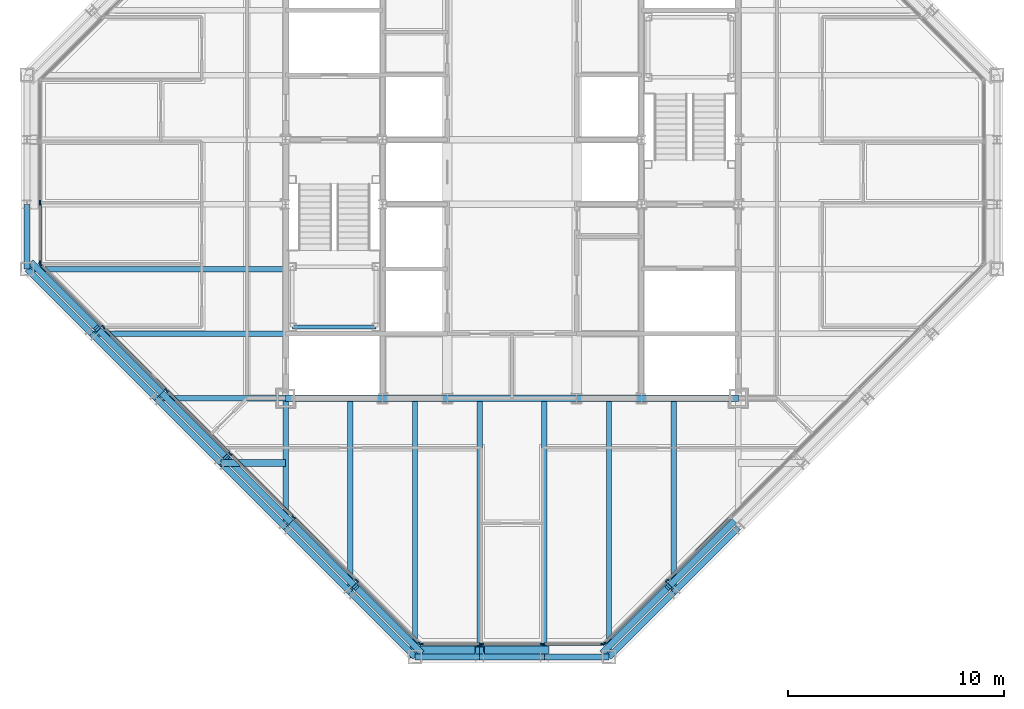
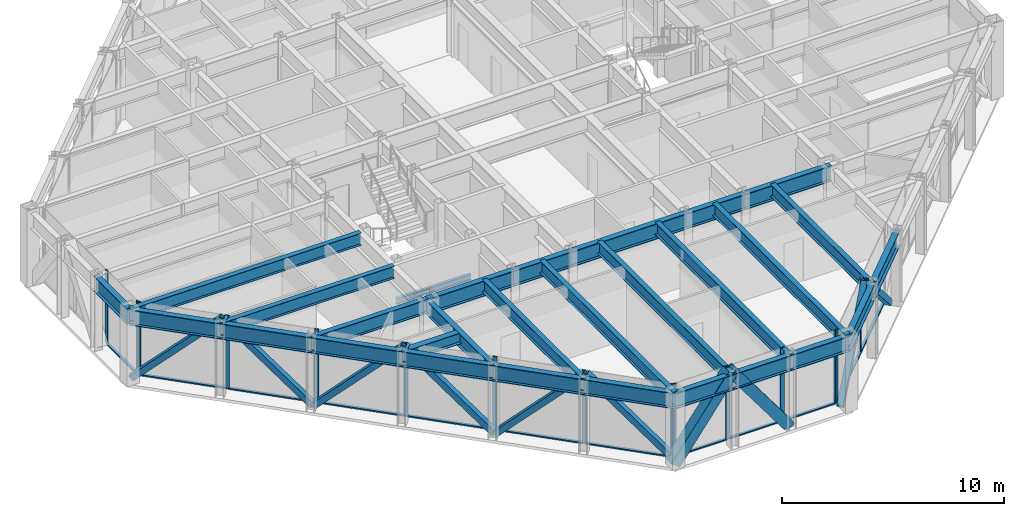
# One storey, part 5 of 15: 37 members, 29 beams, 4 elements without a shape of their own.
"""IFC4 building model written with IfcOpenShell, lengths in metres."""

import ifcopenshell
import ifcopenshell.guid

model = None  # the IFC model being written
_history = None  # IfcOwnerHistory: only IFC2X3 demands one
_inside = {}  # id of a spatial element -> (the spatial element, [elements in it])
_under = {}  # id of a project, library or spatial element -> (it, [spatial elements below it])
_declared = {}  # id of a project -> (the project, [libraries it declares])
_typed = {}  # id of a type object -> (the type object, [elements of that type])
_made_of = {}  # id of a material, layer set ... -> (it, [elements and type objects made of it])


def new_model(schema):
    """Start an empty IFC model of exactly this schema.

    Asked for "IFC4X3", IfcOpenShell would pick the latest addendum, in which some entities
    have other attributes; the version numbers below select the first issue.
    IFC2X3 requires an IfcOwnerHistory on every rooted entity: one is made here for all.
    """
    global model, _history
    if schema == "IFC4X3":
        model = ifcopenshell.file(schema_version=(4, 3, 0, 0))
    else:
        model = ifcopenshell.file(schema=schema)
    _inside.clear()
    _under.clear()
    _declared.clear()
    _typed.clear()
    _made_of.clear()
    _history = None
    if model.schema == "IFC2X3":
        org = make("IfcOrganization", Name="unknown")
        user = make(
            "IfcPersonAndOrganization",
            ThePerson=make("IfcPerson", FamilyName="unknown"),
            TheOrganization=org,
        )
        app = make(
            "IfcApplication",
            ApplicationDeveloper=org,
            Version="unknown",
            ApplicationFullName="unknown",
            ApplicationIdentifier="unknown",
        )
        _history = make(
            "IfcOwnerHistory",
            OwningUser=user,
            OwningApplication=app,
            ChangeAction="ADDED",
            CreationDate=0,
        )
    return model


def make(cls, **values):
    """One entity of the class cls with the attributes given. An attribute that is None is left unset."""
    return model.create_entity(
        cls, **{name: value for name, value in values.items() if value is not None}
    )


def rooted(cls, **values):
    """An entity with a GlobalId (a new one), such as an element, a storey or a relation."""
    return make(cls, GlobalId=ifcopenshell.guid.new(), OwnerHistory=_history, **values)


def si_unit(unit_type, name, prefix=None):
    """IfcSIUnit, for example si_unit("LENGTHUNIT", "METRE", prefix="MILLI")."""
    return make("IfcSIUnit", UnitType=unit_type, Prefix=prefix, Name=name)


def assignment(units):
    """IfcUnitAssignment: the units of a project."""
    return None if units is None else make("IfcUnitAssignment", Units=units)


def point(xyz):
    """IfcCartesianPoint."""
    return None if xyz is None else make("IfcCartesianPoint", Coordinates=xyz)


def direction(xyz):
    """IfcDirection."""
    return None if xyz is None else make("IfcDirection", DirectionRatios=xyz)


def frame(location, z_axis=None, x_axis=None):
    """IfcAxis2Placement3D, a coordinate frame: its origin and axes. An axis left out is left unset."""
    return make(
        "IfcAxis2Placement3D",
        Location=point(location),
        Axis=direction(z_axis),
        RefDirection=direction(x_axis),
    )


def frame_2d(location, x_axis=None):
    """IfcAxis2Placement2D, a coordinate frame in the plane: its origin and x axis."""
    return make(
        "IfcAxis2Placement2D", Location=point(location), RefDirection=direction(x_axis)
    )


def origin():
    """The frame at (0, 0, 0) with its axes left unset."""
    return frame((0.0, 0.0, 0.0))


def origin_2d():
    """The frame at (0, 0) in the plane with its x axis left unset."""
    return frame_2d((0.0, 0.0))


def place(relative_to, where):
    """IfcLocalPlacement: puts the frame where relative to a parent placement (None: the world)."""
    return make(
        "IfcLocalPlacement", PlacementRelTo=relative_to, RelativePlacement=where
    )


def context(
    kind, dimensions, precision=None, world=None, true_north=None, identifier=None
):
    """IfcGeometricRepresentationContext, for example the 3D "Model" context."""
    return make(
        "IfcGeometricRepresentationContext",
        ContextIdentifier=identifier,
        ContextType=kind,
        CoordinateSpaceDimension=dimensions,
        Precision=precision,
        WorldCoordinateSystem=world,
        TrueNorth=true_north,
    )


def subcontext(parent, identifier, kind, view, scale=None):
    """IfcGeometricRepresentationSubContext, for example "Body" below "Model"."""
    return make(
        "IfcGeometricRepresentationSubContext",
        ContextIdentifier=identifier,
        ContextType=kind,
        ParentContext=parent,
        TargetScale=scale,
        TargetView=view,
    )


def project(units=None, contexts=None):
    """IfcProject with its units and contexts."""
    return rooted(
        "IfcProject",
        Name="project",
        RepresentationContexts=contexts,
        UnitsInContext=assignment(units),
    )


def spatial(cls, under=None, at=None, **own):
    """A site, building, storey or space (cls), placed at a placement, below another one or the project."""
    s = rooted(cls, ObjectPlacement=at, **own)
    if under is not None:
        _under.setdefault(under.id(), (under, []))[1].append(s)
    return s


def profile(cls, at=None, kind="AREA", **sizes):
    """A parametric profile (cls). Its sizes go by their IFC names, for example OverallWidth=200.0."""
    return make(cls, ProfileType=kind, Position=at, **sizes)


def rectangle(**sizes):
    """IfcRectangleProfileDef."""
    return profile("IfcRectangleProfileDef", **sizes)


def hollow_rectangle(**sizes):
    """IfcRectangleHollowProfileDef."""
    return profile("IfcRectangleHollowProfileDef", **sizes)


def i_section(**sizes):
    """IfcIShapeProfileDef."""
    return profile("IfcIShapeProfileDef", **sizes)


def extrude(swept, where, along, depth):
    """IfcExtrudedAreaSolid: the profile swept, set in the frame where, extruded along a direction by depth."""
    return make(
        "IfcExtrudedAreaSolid",
        SweptArea=swept,
        Position=where,
        ExtrudedDirection=direction(along),
        Depth=depth,
    )


def shape(context_of_items, identifier, shape_type, items):
    """IfcShapeRepresentation: the items that make up one representation, for example the "Body"."""
    return make(
        "IfcShapeRepresentation",
        ContextOfItems=context_of_items,
        RepresentationIdentifier=identifier,
        RepresentationType=shape_type,
        Items=items,
    )


def material(Name=None, Category=None):
    """IfcMaterial."""
    return make("IfcMaterial", Name=Name, Category=Category)


def layer(
    of_material, thickness, ventilated=None, Name=None, Category=None, Priority=None
):
    """IfcMaterialLayer: one layer of a wall or slab, of a material (None: an air gap)."""
    return make(
        "IfcMaterialLayer",
        Material=of_material,
        LayerThickness=thickness,
        IsVentilated=ventilated,
        Name=Name,
        Category=Category,
        Priority=Priority,
    )


def layer_set(layers, Name=None):
    """IfcMaterialLayerSet."""
    return make("IfcMaterialLayerSet", MaterialLayers=layers, LayerSetName=Name)


def material_profile(
    of_material, cross_section, Name=None, Category=None, Priority=None
):
    """IfcMaterialProfile: a cross section and its material."""
    return make(
        "IfcMaterialProfile",
        Name=Name,
        Material=of_material,
        Profile=cross_section,
        Priority=Priority,
        Category=Category,
    )


def profile_set(profiles, Name=None, composite=None):
    """IfcMaterialProfileSet."""
    return make(
        "IfcMaterialProfileSet",
        Name=Name,
        MaterialProfiles=profiles,
        CompositeProfile=composite,
    )


def made_of(thing, what):
    """Note that an element or type object is made of a material, layer set ...; save() writes the relation."""
    if what is not None:
        _made_of.setdefault(what.id(), (what, []))[1].append(thing)
    return thing


def type_object(cls, material=None, **own):
    """A type object (cls), such as IfcWallType, which elements share."""
    return made_of(rooted(cls, **own), material)


def element(
    cls,
    number,
    at=None,
    inside=None,
    cuts=None,
    type_object=None,
    material=None,
    context=None,
    identifier="Body",
    shape_type=None,
    held_by="IfcProductDefinitionShape",
    body=None,
    shapes=None,
    **own,
):
    """One element of the class cls, such as IfcWall. Its Tag is "e" and its number.

    at: its placement. inside: the storey or other place that contains it. cuts: it is an
    opening in that element (IfcRelVoidsElement). A single representation is given by context,
    identifier, shape_type and body (its items); several are given by shapes. held_by: the class
    of the entity that holds the representations. save() writes the other relations.
    """
    e = rooted(cls, Tag="e%d" % number, ObjectPlacement=at, **own)
    if body is not None:
        shapes = [shape(context, identifier, shape_type, body)]
    if shapes is not None:
        e.Representation = make(held_by, Representations=shapes)
    if inside is not None:
        _inside.setdefault(inside.id(), (inside, []))[1].append(e)
    if cuts is not None:
        rooted(
            "IfcRelVoidsElement", RelatingBuildingElement=cuts, RelatedOpeningElement=e
        )
    if type_object is not None:
        _typed.setdefault(type_object.id(), (type_object, []))[1].append(e)
    return made_of(e, material)


def aggregate(whole, parts):
    """IfcRelAggregates: a whole, such as a stair, and the parts it consists of."""
    return rooted("IfcRelAggregates", RelatingObject=whole, RelatedObjects=parts)


def save(model, path):
    """Write the relations noted so far, then the file.

    IfcRelAggregates (storeys below a building ...), IfcRelContainedInSpatialStructure (elements
    in a storey), IfcRelDefinesByType, IfcRelAssociatesMaterial and IfcRelDeclares: one each for
    every whole, place, type object, material and project.
    """
    for whole, parts in _under.values():
        aggregate(whole, parts)
    for where, things in _inside.values():
        rooted(
            "IfcRelContainedInSpatialStructure",
            RelatedElements=things,
            RelatingStructure=where,
        )
    for kind, things in _typed.values():
        rooted("IfcRelDefinesByType", RelatedObjects=things, RelatingType=kind)
    for what, things in _made_of.values():
        rooted("IfcRelAssociatesMaterial", RelatedObjects=things, RelatingMaterial=what)
    for by, libraries in _declared.values():
        rooted("IfcRelDeclares", RelatingContext=by, RelatedDefinitions=libraries)
    model.write(path)


model = new_model("IFC4")

# Units and contexts
model_context = context("Model", 3, precision=1e-05, world=origin(), true_north=direction((0.0, 1.0)))
body_context = subcontext(model_context, "Body", "Model", "MODEL_VIEW")
ifc_project = project(units=[si_unit("LENGTHUNIT", "METRE"), si_unit("AREAUNIT", "SQUARE_METRE"), si_unit("VOLUMEUNIT", "CUBIC_METRE"), si_unit("PLANEANGLEUNIT", "RADIAN"), si_unit("MASSUNIT", "GRAM", prefix="KILO")], contexts=[model_context])

# Site, building, storey
site_placement = place(None, origin())
site = spatial("IfcSite", under=ifc_project, at=site_placement, CompositionType="ELEMENT")
building_placement = place(site_placement, origin())
building = spatial("IfcBuilding", under=site, at=building_placement, Name="Chuquiago Exchange Tower", CompositionType="ELEMENT")
storey_placement = place(building_placement, frame((0.0, 0.0, 283.199951171875)))
storey = spatial("IfcBuildingStorey", under=building, at=storey_placement, Name="L63", CompositionType="ELEMENT", Elevation=283.199951171875)

# Beams
ifc_material_1 = material(Name="Steel ASTM A992", Category="steel")
ifc_material_profile_1 = material_profile(ifc_material_1, i_section(OverallWidth=0.25390625, OverallDepth=0.683349609375, WebThickness=0.012451171875, FlangeThickness=0.018798828125, at=origin_2d()), Name="W27X94")
ifc_profile_set_1 = profile_set([ifc_material_profile_1], Name="Steel ASTM A992")
beam_type_1 = type_object("IfcBeamType", Name="B1 W27X94", PredefinedType="BEAM", material=ifc_profile_set_1)
beam_1_placement = place(storey_placement, frame((15.0, 12.0, 3.698486328125), z_axis=(0.0, -1.0, 0.0), x_axis=(1.0, 0.0, 0.0)))
element("IfcBeam", 1, at=beam_1_placement, inside=storey, type_object=beam_type_1, Name="FB-L64-infill-15_12-15_3-0", PredefinedType="BEAM", context=body_context, shape_type="SweptSolid", body=[
    extrude(i_section(OverallWidth=0.25390625, OverallDepth=0.683349609375, WebThickness=0.012451171875, FlangeThickness=0.018798828125, at=origin_2d()), origin(), (0.0, 0.0, 1.0), 9.0),
])
for number, where, z_axis, x_axis, name in (
    (2, (18.0, 12.0, 3.698486328125), (0.0, -1.0, 0.0), (1.0, 0.0, 0.0), "FB-L64-infill-18_12-18_-0-0"),
    (3, (21.0, 12.0, 3.698486328125), (0.0, -1.0, 0.0), (1.0, 0.0, 0.0), "FB-L64-infill-21_12-21_-0-0"),
    (4, (24.0, 12.0, 3.698486328125), (0.0, -1.0, 0.0), (1.0, 0.0, 0.0), "FB-L64-infill-24_12-24_-0-0"),
    (5, (27.0, 12.0, 3.698486328125), (0.0, -1.0, 0.0), (1.0, 0.0, 0.0), "FB-L64-infill-27_12-27_-0-0"),
):
    element("IfcBeam", number, at=place(storey_placement, frame(where, z_axis=z_axis, x_axis=x_axis)), inside=storey, type_object=beam_type_1, Name=name, PredefinedType="BEAM", context=body_context, shape_type="SweptSolid", body=[
        extrude(i_section(OverallWidth=0.25390625, OverallDepth=0.683349609375, WebThickness=0.012451171875, FlangeThickness=0.018798828125, at=origin_2d()), origin(), (0.0, 0.0, 1.0), 12.0),
    ])
for number, where, z_axis, x_axis, name in (
    (6, (30.0, 12.0, 3.698486328125), (0.0, -1.0, 0.0), (1.0, 0.0, 0.0), "FB-L64-infill-30_12-30_3-0"),
    (7, (12.0, 15.0, 3.698486328125), (-1.0, 0.0, 0.0), (0.0, -1.0, 0.0), "FB-L64-infill-12_15-3_15-0"),
):
    element("IfcBeam", number, at=place(storey_placement, frame(where, z_axis=z_axis, x_axis=x_axis)), inside=storey, type_object=beam_type_1, Name=name, PredefinedType="BEAM", context=body_context, shape_type="SweptSolid", body=[
        extrude(i_section(OverallWidth=0.25390625, OverallDepth=0.683349609375, WebThickness=0.012451171875, FlangeThickness=0.018798828125, at=origin_2d()), origin(), (0.0, 0.0, 1.0), 9.0),
    ])
beam_2_placement = place(storey_placement, frame((12.0, 18.0, 3.698486328125), z_axis=(-1.0, 0.0, 0.0), x_axis=(0.0, -1.0, 0.0)))
element("IfcBeam", 8, at=beam_2_placement, inside=storey, type_object=beam_type_1, Name="FB-L64-infill-12_18--0_18-0", PredefinedType="BEAM", context=body_context, shape_type="SweptSolid", body=[
    extrude(i_section(OverallWidth=0.25390625, OverallDepth=0.683349609375, WebThickness=0.012451171875, FlangeThickness=0.018798828125, at=origin_2d()), origin(), (0.0, 0.0, 1.0), 12.0),
])
ifc_material_2 = material(Name="Steel ASTM A992", Category="steel")
ifc_material_profile_2 = material_profile(ifc_material_2, i_section(OverallWidth=0.3251953125, OverallDepth=0.612060546875, WebThickness=0.0126953125, FlangeThickness=0.01904296875, at=origin_2d()), Name="W24X104")
ifc_profile_set_2 = profile_set([ifc_material_profile_2], Name="Steel ASTM A992")
beam_type_2 = type_object("IfcBeamType", Name="B2 W24X104", PredefinedType="BEAM", material=ifc_profile_set_2)
beam_3_placement = place(storey_placement, frame((12.0, 9.0, 3.73388671875), z_axis=(-1.0, 0.0, 0.0), x_axis=(0.0, -1.0, 0.0)))
element("IfcBeam", 9, at=beam_3_placement, inside=storey, type_object=beam_type_2, Name="FB-L64-corner-12_9-9_9-0", PredefinedType="BEAM", context=body_context, shape_type="SweptSolid", body=[
    extrude(i_section(OverallWidth=0.3251953125, OverallDepth=0.612060546875, WebThickness=0.0126953125, FlangeThickness=0.01904296875, at=origin_2d()), origin(), (0.0, 0.0, 1.0), 3.0),
])
ifc_material_3 = material(Name="Steel ASTM A992", Category="steel")
ifc_material_profile_3 = material_profile(ifc_material_3, i_section(OverallWidth=0.2919921875, OverallDepth=0.8583984375, WebThickness=0.01708984375, FlangeThickness=0.031005859375, at=origin_2d()), Name="W33X169")
ifc_profile_set_3 = profile_set([ifc_material_profile_3], Name="Steel ASTM A992")
beam_type_3 = type_object("IfcBeamType", Name="B3 W33X169", PredefinedType="BEAM", material=ifc_profile_set_3)
beam_4_placement = place(storey_placement, frame((12.0, 12.0, 3.61083984375), z_axis=(1.0, 0.0, 0.0), x_axis=(0.0, 1.0, 0.0)))
element("IfcBeam", 10, at=beam_4_placement, inside=storey, type_object=beam_type_3, Name="CB-L64-12_12-16.5_12", PredefinedType="BEAM", context=body_context, shape_type="SweptSolid", body=[
    extrude(i_section(OverallWidth=0.2919921875, OverallDepth=0.8583984375, WebThickness=0.01708984375, FlangeThickness=0.031005859375, at=origin_2d()), origin(), (0.0, 0.0, 1.0), 4.5),
])
beam_5_placement = place(storey_placement, frame((16.5, 12.0, 3.61083984375), z_axis=(1.0, 0.0, 0.0), x_axis=(0.0, 1.0, 0.0)))
element("IfcBeam", 11, at=beam_5_placement, inside=storey, type_object=beam_type_3, Name="CB-L64-16.5_12-19.5_12", PredefinedType="BEAM", context=body_context, shape_type="SweptSolid", body=[
    extrude(i_section(OverallWidth=0.2919921875, OverallDepth=0.8583984375, WebThickness=0.01708984375, FlangeThickness=0.031005859375, at=origin_2d()), origin(), (0.0, 0.0, 1.0), 3.0),
])
beam_6_placement = place(storey_placement, frame((19.5, 12.0, 3.61083984375), z_axis=(1.0, 0.0, 0.0), x_axis=(0.0, 1.0, 0.0)))
element("IfcBeam", 12, at=beam_6_placement, inside=storey, type_object=beam_type_3, Name="CB-L64-19.5_12-25.5_12", PredefinedType="BEAM", context=body_context, shape_type="SweptSolid", body=[
    extrude(i_section(OverallWidth=0.2919921875, OverallDepth=0.8583984375, WebThickness=0.01708984375, FlangeThickness=0.031005859375, at=origin_2d()), origin(), (0.0, 0.0, 1.0), 6.0),
])
beam_7_placement = place(storey_placement, frame((25.5, 12.0, 3.61083984375), z_axis=(1.0, 0.0, 0.0), x_axis=(0.0, 1.0, 0.0)))
element("IfcBeam", 13, at=beam_7_placement, inside=storey, type_object=beam_type_3, Name="CB-L64-25.5_12-28.5_12", PredefinedType="BEAM", context=body_context, shape_type="SweptSolid", body=[
    extrude(i_section(OverallWidth=0.2919921875, OverallDepth=0.8583984375, WebThickness=0.01708984375, FlangeThickness=0.031005859375, at=origin_2d()), origin(), (0.0, 0.0, 1.0), 3.0),
])
beam_8_placement = place(storey_placement, frame((28.5, 12.0, 3.61083984375), z_axis=(1.0, 0.0, 0.0), x_axis=(0.0, 1.0, 0.0)))
element("IfcBeam", 14, at=beam_8_placement, inside=storey, type_object=beam_type_3, Name="CB-L64-28.5_12-33_12", PredefinedType="BEAM", context=body_context, shape_type="SweptSolid", body=[
    extrude(i_section(OverallWidth=0.2919921875, OverallDepth=0.8583984375, WebThickness=0.01708984375, FlangeThickness=0.031005859375, at=origin_2d()), origin(), (0.0, 0.0, 1.0), 4.5),
])

# Curtain wall, members
ifc_material_4 = material(Name="Aluminium curtain wall system", Category="aluminium")
ifc_layer_1 = layer(ifc_material_4, 0.22509765625)
ifc_layer_set_1 = layer_set([ifc_layer_1], Name="CW2 office curtain wall")
curtain_wall_type_1 = type_object("IfcCurtainWallType", Name="CW2 office curtain wall", PredefinedType="NOTDEFINED", material=ifc_layer_set_1)
curtain_wall_1_placement = place(storey_placement, origin())
curtain_wall_1 = element("IfcCurtainWall", 15, at=curtain_wall_1_placement, inside=storey, type_object=curtain_wall_type_1, Name="CW2 curtain wall L63", PredefinedType="NOTDEFINED")
ifc_material_5 = material(Name="Aluminium mullion, pale anodised", Category="aluminium")
ifc_material_profile_4 = material_profile(ifc_material_5, rectangle(XDim=0.06494140625, YDim=0.22509765625, at=origin_2d()), Name="AL 65x225")
ifc_profile_set_4 = profile_set([ifc_material_profile_4], Name="Aluminium mullion, pale anodised")
member_type_1 = type_object("IfcMemberType", Name="CW2-M mullion 65x225", PredefinedType="MULLION", material=ifc_profile_set_4)
member_1_placement = place(storey_placement, frame((18.281005859375, 0.60009765625, 0.0), z_axis=(0.0, 0.0, 1.0), x_axis=(0.0, 1.0, 0.0)))
member_1 = element("IfcMember", 16, at=member_1_placement, type_object=member_type_1, Name="CW2 mullion 1", PredefinedType="MULLION", context=body_context, shape_type="SweptSolid", body=[
    extrude(rectangle(XDim=0.06494140625, YDim=0.22509765625, at=origin_2d()), origin(), (0.0, 0.0, 1.0), 4.0400390625),
])
member_2_placement = place(storey_placement, frame((21.082763671875, 0.60009765625, 0.0), z_axis=(0.0, 0.0, 1.0), x_axis=(0.0, 1.0, 0.0)))
member_2 = element("IfcMember", 17, at=member_2_placement, type_object=member_type_1, Name="CW2 mullion 2", PredefinedType="MULLION", context=body_context, shape_type="SweptSolid", body=[
    extrude(rectangle(XDim=0.06494140625, YDim=0.22509765625, at=origin_2d()), origin(), (0.0, 0.0, 1.0), 4.0400390625),
])
member_3_placement = place(storey_placement, frame((23.917236328125, 0.60009765625, 0.0), z_axis=(0.0, 0.0, 1.0), x_axis=(0.0, 1.0, 0.0)))
member_3 = element("IfcMember", 18, at=member_3_placement, type_object=member_type_1, Name="CW2 mullion 3", PredefinedType="MULLION", context=body_context, shape_type="SweptSolid", body=[
    extrude(rectangle(XDim=0.06494140625, YDim=0.22509765625, at=origin_2d()), origin(), (0.0, 0.0, 1.0), 4.0400390625),
])
member_4_placement = place(storey_placement, frame((26.718994140625, 0.60009765625, 0.0), z_axis=(0.0, 0.0, 1.0), x_axis=(0.0, 1.0, 0.0)))
member_4 = element("IfcMember", 19, at=member_4_placement, type_object=member_type_1, Name="CW2 mullion 4", PredefinedType="MULLION", context=body_context, shape_type="SweptSolid", body=[
    extrude(rectangle(XDim=0.06494140625, YDim=0.22509765625, at=origin_2d()), origin(), (0.0, 0.0, 1.0), 4.0400390625),
])

curtain_wall_2_placement = place(storey_placement, origin())
curtain_wall_2 = element("IfcCurtainWall", 20, at=curtain_wall_2_placement, inside=storey, type_object=curtain_wall_type_1, Name="CW2 curtain wall L63", PredefinedType="NOTDEFINED")
member_5_placement = place(storey_placement, frame((0.60009765625, 21.082763671875, 0.0), z_axis=(0.0, 0.0, 1.0), x_axis=(1.0, 0.0, 0.0)))
member_5 = element("IfcMember", 21, at=member_5_placement, type_object=member_type_1, Name="CW2 mullion 3", PredefinedType="MULLION", context=body_context, shape_type="SweptSolid", body=[
    extrude(rectangle(XDim=0.06494140625, YDim=0.22509765625, at=origin_2d()), origin(), (0.0, 0.0, 1.0), 4.0400390625),
])
member_6_placement = place(storey_placement, frame((0.60009765625, 18.281005859375, 0.0), z_axis=(0.0, 0.0, 1.0), x_axis=(1.0, 0.0, 0.0)))
member_6 = element("IfcMember", 22, at=member_6_placement, type_object=member_type_1, Name="CW2 mullion 4", PredefinedType="MULLION", context=body_context, shape_type="SweptSolid", body=[
    extrude(rectangle(XDim=0.06494140625, YDim=0.22509765625, at=origin_2d()), origin(), (0.0, 0.0, 1.0), 4.0400390625),
])

# Member
ifc_material_6 = material(Name="Aluminium transom, pale anodised", Category="aluminium")
ifc_material_profile_5 = material_profile(ifc_material_6, rectangle(XDim=0.139892578125, YDim=0.06494140625, at=origin_2d()), Name="AL 140x65")
ifc_profile_set_5 = profile_set([ifc_material_profile_5], Name="Aluminium transom, pale anodised")
member_type_2 = type_object("IfcMemberType", Name="CW2-T transom 65x140", PredefinedType="MULLION", material=ifc_profile_set_5)
member_7_placement = place(storey_placement, frame((18.3134765625, 0.60009765625, 0.032470703125), z_axis=(1.0, 0.0, 0.0), x_axis=(0.0, 1.0, 0.0)))
member_7 = element("IfcMember", 23, at=member_7_placement, type_object=member_type_2, Name="CW2 transom 1.1", PredefinedType="MULLION", context=body_context, shape_type="SweptSolid", body=[
    extrude(rectangle(XDim=0.139892578125, YDim=0.06494140625, at=origin_2d()), origin(), (0.0, 0.0, 1.0), 2.73681640625),
])

member_8_placement = place(storey_placement, frame((21.115234375, 0.60009765625, 0.032470703125), z_axis=(1.0, 0.0, 0.0), x_axis=(0.0, 1.0, 0.0)))
member_8 = element("IfcMember", 24, at=member_8_placement, type_object=member_type_2, Name="CW2 transom 2.1", PredefinedType="MULLION", context=body_context, shape_type="SweptSolid", body=[
    extrude(rectangle(XDim=0.139892578125, YDim=0.06494140625, at=origin_2d()), origin(), (0.0, 0.0, 1.0), 2.76953125),
])

member_9_placement = place(storey_placement, frame((23.94970703125, 0.60009765625, 0.032470703125), z_axis=(1.0, 0.0, 0.0), x_axis=(0.0, 1.0, 0.0)))
member_9 = element("IfcMember", 25, at=member_9_placement, type_object=member_type_2, Name="CW2 transom 3.1", PredefinedType="MULLION", context=body_context, shape_type="SweptSolid", body=[
    extrude(rectangle(XDim=0.139892578125, YDim=0.06494140625, at=origin_2d()), origin(), (0.0, 0.0, 1.0), 2.73681640625),
])

aggregate(curtain_wall_1, [member_1, member_2, member_3, member_4, member_7, member_8, member_9])

member_10_placement = place(storey_placement, frame((0.60009765625, 21.05029296875, 0.032470703125), z_axis=(0.0, -1.0, 0.0), x_axis=(1.0, 0.0, 0.0)))
member_10 = element("IfcMember", 26, at=member_10_placement, type_object=member_type_2, Name="CW2 transom 3.1", PredefinedType="MULLION", context=body_context, shape_type="SweptSolid", body=[
    extrude(rectangle(XDim=0.139892578125, YDim=0.06494140625, at=origin_2d()), origin(), (0.0, 0.0, 1.0), 2.73681640625),
])

aggregate(curtain_wall_2, [member_5, member_6, member_10])

# Curtain wall, members
ifc_material_7 = material(Name="Aluminium curtain wall system", Category="aluminium")
ifc_layer_2 = layer(ifc_material_7, 0.199951171875)
ifc_layer_set_2 = layer_set([ifc_layer_2], Name="CW3 facet curtain wall")
curtain_wall_type_2 = type_object("IfcCurtainWallType", Name="CW3 facet curtain wall", PredefinedType="NOTDEFINED", material=ifc_layer_set_2)
curtain_wall_3_placement = place(storey_placement, origin())
curtain_wall_3 = element("IfcCurtainWall", 27, at=curtain_wall_3_placement, inside=storey, type_object=curtain_wall_type_2, Name="CW3 curtain wall L63", PredefinedType="NOTDEFINED")
ifc_material_8 = material(Name="Aluminium mullion, pale anodised", Category="aluminium")
ifc_material_profile_6 = material_profile(ifc_material_8, rectangle(XDim=0.06494140625, YDim=0.199951171875, at=origin_2d()), Name="AL 65x200")
ifc_profile_set_6 = profile_set([ifc_material_profile_6], Name="Aluminium mullion, pale anodised")
member_type_3 = type_object("IfcMemberType", Name="CW3-M mullion 65x200", PredefinedType="MULLION", material=ifc_profile_set_6)
member_11_placement = place(storey_placement, frame((26.7744140625, 0.623046875, 0.0), z_axis=(0.0, 0.0, 1.0), x_axis=(-0.707106781187, 0.707106781187, 0.0)))
member_11 = element("IfcMember", 28, at=member_11_placement, type_object=member_type_3, Name="CW3 mullion 1", PredefinedType="MULLION", context=body_context, shape_type="SweptSolid", body=[
    extrude(rectangle(XDim=0.06494140625, YDim=0.199951171875, at=origin_2d()), origin(), (0.0, 0.0, 1.0), 4.0400390625),
])
member_12_placement = place(storey_placement, frame((29.69287109375, 3.54150390625, 0.0), z_axis=(0.0, 0.0, 1.0), x_axis=(-0.707106781187, 0.707106781187, 0.0)))
member_12 = element("IfcMember", 29, at=member_12_placement, type_object=member_type_3, Name="CW3 mullion 2", PredefinedType="MULLION", context=body_context, shape_type="SweptSolid", body=[
    extrude(rectangle(XDim=0.06494140625, YDim=0.199951171875, at=origin_2d()), origin(), (0.0, 0.0, 1.0), 4.0400390625),
])

curtain_wall_4_placement = place(storey_placement, origin())
curtain_wall_4 = element("IfcCurtainWall", 30, at=curtain_wall_4_placement, inside=storey, type_object=curtain_wall_type_2, Name="CW3 curtain wall L63", PredefinedType="NOTDEFINED")
member_13_placement = place(storey_placement, frame((0.623046875, 18.2255859375, 0.0), z_axis=(0.0, 0.0, 1.0), x_axis=(0.707106781187, 0.707106781187, 0.0)))
member_13 = element("IfcMember", 31, at=member_13_placement, type_object=member_type_3, Name="CW3 mullion 1", PredefinedType="MULLION", context=body_context, shape_type="SweptSolid", body=[
    extrude(rectangle(XDim=0.06494140625, YDim=0.199951171875, at=origin_2d()), origin(), (0.0, 0.0, 1.0), 4.0400390625),
])
member_14_placement = place(storey_placement, frame((3.54150390625, 15.30712890625, 0.0), z_axis=(0.0, 0.0, 1.0), x_axis=(0.707106781187, 0.707106781187, 0.0)))
member_14 = element("IfcMember", 32, at=member_14_placement, type_object=member_type_3, Name="CW3 mullion 2", PredefinedType="MULLION", context=body_context, shape_type="SweptSolid", body=[
    extrude(rectangle(XDim=0.06494140625, YDim=0.199951171875, at=origin_2d()), origin(), (0.0, 0.0, 1.0), 4.0400390625),
])
member_15_placement = place(storey_placement, frame((6.48291015625, 12.36572265625, 0.0), z_axis=(0.0, 0.0, 1.0), x_axis=(0.707106781187, 0.707106781187, 0.0)))
member_15 = element("IfcMember", 33, at=member_15_placement, type_object=member_type_3, Name="CW3 mullion 3", PredefinedType="MULLION", context=body_context, shape_type="SweptSolid", body=[
    extrude(rectangle(XDim=0.06494140625, YDim=0.199951171875, at=origin_2d()), origin(), (0.0, 0.0, 1.0), 4.0400390625),
])
member_16_placement = place(storey_placement, frame((9.42431640625, 9.42431640625, 0.0), z_axis=(0.0, 0.0, 1.0), x_axis=(0.707106781187, 0.707106781187, 0.0)))
member_16 = element("IfcMember", 34, at=member_16_placement, type_object=member_type_3, Name="CW3 mullion 4", PredefinedType="MULLION", context=body_context, shape_type="SweptSolid", body=[
    extrude(rectangle(XDim=0.06494140625, YDim=0.199951171875, at=origin_2d()), origin(), (0.0, 0.0, 1.0), 4.0400390625),
])
member_17_placement = place(storey_placement, frame((12.36572265625, 6.48291015625, 0.0), z_axis=(0.0, 0.0, 1.0), x_axis=(0.707106781187, 0.707106781187, 0.0)))
member_17 = element("IfcMember", 35, at=member_17_placement, type_object=member_type_3, Name="CW3 mullion 5", PredefinedType="MULLION", context=body_context, shape_type="SweptSolid", body=[
    extrude(rectangle(XDim=0.06494140625, YDim=0.199951171875, at=origin_2d()), origin(), (0.0, 0.0, 1.0), 4.0400390625),
])
member_18_placement = place(storey_placement, frame((15.30712890625, 3.54150390625, 0.0), z_axis=(0.0, 0.0, 1.0), x_axis=(0.707106781187, 0.707106781187, 0.0)))
member_18 = element("IfcMember", 36, at=member_18_placement, type_object=member_type_3, Name="CW3 mullion 6", PredefinedType="MULLION", context=body_context, shape_type="SweptSolid", body=[
    extrude(rectangle(XDim=0.06494140625, YDim=0.199951171875, at=origin_2d()), origin(), (0.0, 0.0, 1.0), 4.0400390625),
])
member_19_placement = place(storey_placement, frame((18.2255859375, 0.623046875, 0.0), z_axis=(0.0, 0.0, 1.0), x_axis=(0.707106781187, 0.707106781187, 0.0)))
member_19 = element("IfcMember", 37, at=member_19_placement, type_object=member_type_3, Name="CW3 mullion 7", PredefinedType="MULLION", context=body_context, shape_type="SweptSolid", body=[
    extrude(rectangle(XDim=0.06494140625, YDim=0.199951171875, at=origin_2d()), origin(), (0.0, 0.0, 1.0), 4.0400390625),
])

# Member
ifc_material_9 = material(Name="Aluminium transom, pale anodised", Category="aluminium")
ifc_material_profile_7 = material_profile(ifc_material_9, rectangle(XDim=0.139892578125, YDim=0.06494140625, at=origin_2d()), Name="AL 140x65")
ifc_profile_set_7 = profile_set([ifc_material_profile_7], Name="Aluminium transom, pale anodised")
member_type_4 = type_object("IfcMemberType", Name="CW3-T transom 65x140", PredefinedType="MULLION", material=ifc_profile_set_7)
member_20_placement = place(storey_placement, frame((26.79736328125, 0.64599609375, 0.032470703125), z_axis=(0.707106781187, 0.707106781187, 0.0), x_axis=(-0.707106781187, 0.707106781187, 0.0)))
member_20 = element("IfcMember", 38, at=member_20_placement, type_object=member_type_4, Name="CW3 transom 1.1", PredefinedType="MULLION", context=body_context, shape_type="SweptSolid", body=[
    extrude(rectangle(XDim=0.139892578125, YDim=0.06494140625, at=origin_2d()), origin(), (0.0, 0.0, 1.0), 4.0625),
])

member_21_placement = place(storey_placement, frame((29.7158203125, 3.564453125, 0.032470703125), z_axis=(0.707106781187, 0.707106781187, 0.0), x_axis=(-0.707106781187, 0.707106781187, 0.0)))
member_21 = element("IfcMember", 39, at=member_21_placement, type_object=member_type_4, Name="CW3 transom 2.1", PredefinedType="MULLION", context=body_context, shape_type="SweptSolid", body=[
    extrude(rectangle(XDim=0.139892578125, YDim=0.06494140625, at=origin_2d()), origin(), (0.0, 0.0, 1.0), 4.094970703125),
])

aggregate(curtain_wall_3, [member_11, member_12, member_20, member_21])

member_22_placement = place(storey_placement, frame((0.64599609375, 18.20263671875, 0.032470703125), z_axis=(0.707106781187, -0.707106781187, 0.0), x_axis=(0.707106781187, 0.707106781187, 0.0)))
member_22 = element("IfcMember", 40, at=member_22_placement, type_object=member_type_4, Name="CW3 transom 1.1", PredefinedType="MULLION", context=body_context, shape_type="SweptSolid", body=[
    extrude(rectangle(XDim=0.139892578125, YDim=0.06494140625, at=origin_2d()), origin(), (0.0, 0.0, 1.0), 4.0625),
])

member_23_placement = place(storey_placement, frame((3.564453125, 15.2841796875, 0.032470703125), z_axis=(0.707106781187, -0.707106781187, 0.0), x_axis=(0.707106781187, 0.707106781187, 0.0)))
member_23 = element("IfcMember", 41, at=member_23_placement, type_object=member_type_4, Name="CW3 transom 2.1", PredefinedType="MULLION", context=body_context, shape_type="SweptSolid", body=[
    extrude(rectangle(XDim=0.139892578125, YDim=0.06494140625, at=origin_2d()), origin(), (0.0, 0.0, 1.0), 4.094970703125),
])

member_24_placement = place(storey_placement, frame((6.505859375, 12.3427734375, 0.032470703125), z_axis=(0.707106781187, -0.707106781187, 0.0), x_axis=(0.707106781187, 0.707106781187, 0.0)))
member_24 = element("IfcMember", 42, at=member_24_placement, type_object=member_type_4, Name="CW3 transom 3.1", PredefinedType="MULLION", context=body_context, shape_type="SweptSolid", body=[
    extrude(rectangle(XDim=0.139892578125, YDim=0.06494140625, at=origin_2d()), origin(), (0.0, 0.0, 1.0), 4.094970703125),
])

member_25_placement = place(storey_placement, frame((9.447265625, 9.4013671875, 0.032470703125), z_axis=(0.707106781187, -0.707106781187, 0.0), x_axis=(0.707106781187, 0.707106781187, 0.0)))
member_25 = element("IfcMember", 43, at=member_25_placement, type_object=member_type_4, Name="CW3 transom 4.1", PredefinedType="MULLION", context=body_context, shape_type="SweptSolid", body=[
    extrude(rectangle(XDim=0.139892578125, YDim=0.06494140625, at=origin_2d()), origin(), (0.0, 0.0, 1.0), 4.094970703125),
])

member_26_placement = place(storey_placement, frame((12.388671875, 6.4599609375, 0.032470703125), z_axis=(0.707106781187, -0.707106781187, 0.0), x_axis=(0.707106781187, 0.707106781187, 0.0)))
member_26 = element("IfcMember", 44, at=member_26_placement, type_object=member_type_4, Name="CW3 transom 5.1", PredefinedType="MULLION", context=body_context, shape_type="SweptSolid", body=[
    extrude(rectangle(XDim=0.139892578125, YDim=0.06494140625, at=origin_2d()), origin(), (0.0, 0.0, 1.0), 4.094970703125),
])

member_27_placement = place(storey_placement, frame((15.330078125, 3.5185546875, 0.032470703125), z_axis=(0.707106781187, -0.707106781187, 0.0), x_axis=(0.707106781187, 0.707106781187, 0.0)))
member_27 = element("IfcMember", 45, at=member_27_placement, type_object=member_type_4, Name="CW3 transom 6.1", PredefinedType="MULLION", context=body_context, shape_type="SweptSolid", body=[
    extrude(rectangle(XDim=0.139892578125, YDim=0.06494140625, at=origin_2d()), origin(), (0.0, 0.0, 1.0), 4.0625),
])

aggregate(curtain_wall_4, [member_13, member_14, member_15, member_16, member_17, member_18, member_19, member_22, member_23, member_24, member_25, member_26, member_27])

# Beams
ifc_material_10 = material(Name="Steel ASTM A992", Category="steel")
ifc_material_profile_8 = material_profile(ifc_material_10, i_section(OverallWidth=0.2666015625, OverallDepth=0.76953125, WebThickness=0.015625, FlangeThickness=0.025390625, at=origin_2d()), Name="W30X132")
ifc_profile_set_8 = profile_set([ifc_material_profile_8], Name="Steel ASTM A992")
beam_type_4 = type_object("IfcBeamType", Name="G1 W30X132", PredefinedType="BEAM", material=ifc_profile_set_8)
for number, where, z_axis, x_axis, name in (
    (46, (12.0, 12.0, 3.6552734375), (0.0, -1.0, 0.0), (1.0, 0.0, 0.0), "FB-L64-girder-12_12-12_6-0"),
    (47, (12.0, 12.0, 3.6552734375), (-1.0, 0.0, 0.0), (0.0, -1.0, 0.0), "FB-L64-girder-12_12-6_12-0"),
):
    element("IfcBeam", number, at=place(storey_placement, frame(where, z_axis=z_axis, x_axis=x_axis)), inside=storey, type_object=beam_type_4, Name=name, PredefinedType="BEAM", context=body_context, shape_type="SweptSolid", body=[
        extrude(i_section(OverallWidth=0.2666015625, OverallDepth=0.76953125, WebThickness=0.015625, FlangeThickness=0.025390625, at=origin_2d()), origin(), (0.0, 0.0, 1.0), 6.0),
    ])

# Members
ifc_material_11 = material(Name="Steel ASTM A500 Grade C", Category="steel")
ifc_material_profile_9 = material_profile(ifc_material_11, hollow_rectangle(XDim=0.3046875, YDim=0.3046875, WallThickness=0.0146484375, at=origin_2d()), Name="HSS12X12X5/8")
ifc_profile_set_9 = profile_set([ifc_material_profile_9], Name="Steel ASTM A500 Grade C")
member_type_5 = type_object("IfcMemberType", Name="LB3 HSS12X12X5/8", PredefinedType="BRACE", material=ifc_profile_set_9)
for number, where, z_axis, x_axis, name in (
    (48, (26.750732421875, 0.249267578125, 0.0), (0.512077265487, 0.512077265487, 0.689604051861), (-0.707106781187, 0.707106781187, 0.0), "LB-L63-27_0-30_3"),
    (49, (32.750732421875, 6.249267578125, 0.0), (-0.512077265487, -0.512077265487, 0.689604051861), (0.707106781187, -0.707106781187, 0.0), "LB-L63-30_3-33_6"),
    (50, (0.249267578125, 18.249267578125, 0.0), (0.512077265487, -0.512077265487, 0.689604051861), (0.707106781187, 0.707106781187, 0.0), "LB-L63-0_18-3_15"),
    (51, (6.249267578125, 12.249267578125, 0.0), (-0.512077265487, 0.512077265487, 0.689604051861), (-0.707106781187, -0.707106781187, 0.0), "LB-L63-3_15-6_12"),
    (52, (6.249267578125, 12.249267578125, 0.0), (0.512077265487, -0.512077265487, 0.689604051861), (0.707106781187, 0.707106781187, 0.0), "LB-L63-6_12-9_9"),
    (53, (12.249267578125, 6.249267578125, 0.0), (-0.512077265487, 0.512077265487, 0.689604051861), (-0.707106781187, -0.707106781187, 0.0), "LB-L63-9_9-12_6"),
    (54, (12.249267578125, 6.249267578125, 0.0), (0.512077265487, -0.512077265487, 0.689604051861), (0.707106781187, 0.707106781187, 0.0), "LB-L63-12_6-15_3"),
    (55, (18.249267578125, 0.249267578125, 0.0), (-0.512077265487, 0.512077265487, 0.689604051861), (-0.707106781187, -0.707106781187, 0.0), "LB-L63-15_3-18_0"),
):
    element("IfcMember", number, at=place(storey_placement, frame(where, z_axis=z_axis, x_axis=x_axis)), inside=storey, type_object=member_type_5, Name=name, PredefinedType="BRACE", context=body_context, shape_type="SweptSolid", body=[
        extrude(hollow_rectangle(XDim=0.3046875, YDim=0.3046875, WallThickness=0.0146484375, at=origin_2d()), origin(), (0.0, 0.0, 1.0), 5.8583984375),
    ])

# Beam
ifc_material_12 = material(Name="Steel ASTM A992", Category="steel")
ifc_material_profile_10 = material_profile(ifc_material_12, i_section(OverallWidth=0.164794921875, OverallDepth=0.309814453125, WebThickness=0.005859375, FlangeThickness=0.009765625, at=origin_2d()), Name="W12X26")
ifc_profile_set_10 = profile_set([ifc_material_profile_10], Name="Steel ASTM A992")
beam_type_5 = type_object("IfcBeamType", Name="LT1 W12X26", PredefinedType="BEAM", material=ifc_profile_set_10)
beam_9_placement = place(storey_placement, frame((12.31005859375, 15.31005859375, 1.7451171875), z_axis=(1.0, 0.0, 0.0), x_axis=(0.0, 1.0, 0.0)))
element("IfcBeam", 56, at=beam_9_placement, inside=storey, type_object=beam_type_5, Name="Stair ST1 L63 landing 1 trimmer", PredefinedType="BEAM", context=body_context, shape_type="SweptSolid", body=[
    extrude(i_section(OverallWidth=0.164794921875, OverallDepth=0.309814453125, WebThickness=0.005859375, FlangeThickness=0.009765625, at=origin_2d()), origin(), (0.0, 0.0, 1.0), 3.8798828125),
])

# Members
ifc_material_13 = material(Name="Steel ASTM A572 Grade 50", Category="steel")
ifc_material_profile_11 = material_profile(ifc_material_13, hollow_rectangle(XDim=0.550048828125, YDim=0.550048828125, WallThickness=0.044921875, at=origin_2d()), Name="BOX550X550X45")
ifc_profile_set_11 = profile_set([ifc_material_profile_11], Name="Steel ASTM A572 Grade 50")
member_type_6 = type_object("IfcMemberType", Name="MB4 BOX550X550X45", PredefinedType="BRACE", material=ifc_profile_set_11)
for number, where, z_axis, x_axis, name in (
    (57, (18.0, 0.22998046875, 0.0), (0.596173923302, 0.0, 0.802855312728), (0.0, 1.0, 0.0), "Mega diagonal L63 S face"),
    (58, (24.0, 0.22998046875, 0.0), (-0.596173923302, 0.0, 0.802855312728), (0.0, -1.0, 0.0), "Mega diagonal L63 S face"),
):
    element("IfcMember", number, at=place(storey_placement, frame(where, z_axis=z_axis, x_axis=x_axis)), inside=storey, type_object=member_type_6, Name=name, PredefinedType="BRACE", context=body_context, shape_type="SweptSolid", body=[
        extrude(hollow_rectangle(XDim=0.550048828125, YDim=0.550048828125, WallThickness=0.044921875, at=origin_2d()), origin(), (0.0, 0.0, 1.0), 5.031982421875),
    ])

# Beams
ifc_material_14 = material(Name="Steel ASTM A992", Category="steel")
ifc_material_profile_12 = material_profile(ifc_material_14, i_section(OverallWidth=0.2919921875, OverallDepth=0.8583984375, WebThickness=0.01708984375, FlangeThickness=0.031005859375, at=origin_2d()), Name="W33X169")
ifc_profile_set_12 = profile_set([ifc_material_profile_12], Name="Steel ASTM A992")
beam_type_6 = type_object("IfcBeamType", Name="SP4 W33X169", PredefinedType="SPANDREL", material=ifc_profile_set_12)
for number, where, z_axis, x_axis, name in (
    (59, (18.0, 0.0, 3.61083984375), (1.0, 0.0, 0.0), (0.0, 1.0, 0.0), "SPB-L64-18_0-21_0"),
    (60, (21.0, 0.0, 3.61083984375), (1.0, 0.0, 0.0), (0.0, 1.0, 0.0), "SPB-L64-21_0-24_0"),
    (61, (24.0, 0.0, 3.61083984375), (1.0, 0.0, 0.0), (0.0, 1.0, 0.0), "SPB-L64-24_0-27_0"),
):
    element("IfcBeam", number, at=place(storey_placement, frame(where, z_axis=z_axis, x_axis=x_axis)), inside=storey, type_object=beam_type_6, Name=name, PredefinedType="SPANDREL", context=body_context, shape_type="SweptSolid", body=[
        extrude(i_section(OverallWidth=0.2919921875, OverallDepth=0.8583984375, WebThickness=0.01708984375, FlangeThickness=0.031005859375, at=origin_2d()), origin(), (0.0, 0.0, 1.0), 3.0),
    ])
for number, where, z_axis, x_axis, name in (
    (62, (27.0, 0.0, 3.61083984375), (0.707106781187, 0.707106781187, 0.0), (-0.707106781187, 0.707106781187, 0.0), "SPB-L64-27_0-30_3"),
    (63, (30.0, 3.0, 3.61083984375), (0.707106781187, 0.707106781187, 0.0), (-0.707106781187, 0.707106781187, 0.0), "SPB-L64-30_3-33_6"),
):
    element("IfcBeam", number, at=place(storey_placement, frame(where, z_axis=z_axis, x_axis=x_axis)), inside=storey, type_object=beam_type_6, Name=name, PredefinedType="SPANDREL", context=body_context, shape_type="SweptSolid", body=[
        extrude(i_section(OverallWidth=0.2919921875, OverallDepth=0.8583984375, WebThickness=0.01708984375, FlangeThickness=0.031005859375, at=origin_2d()), origin(), (0.0, 0.0, 1.0), 4.24267578125),
    ])
beam_10_placement = place(storey_placement, frame((0.0, 21.0, 3.61083984375), z_axis=(0.0, -1.0, 0.0), x_axis=(1.0, 0.0, 0.0)))
element("IfcBeam", 64, at=beam_10_placement, inside=storey, type_object=beam_type_6, Name="SPB-L64-0_21-0_18", PredefinedType="SPANDREL", context=body_context, shape_type="SweptSolid", body=[
    extrude(i_section(OverallWidth=0.2919921875, OverallDepth=0.8583984375, WebThickness=0.01708984375, FlangeThickness=0.031005859375, at=origin_2d()), origin(), (0.0, 0.0, 1.0), 3.0),
])
for number, where, z_axis, x_axis, name in (
    (65, (0.0, 18.0, 3.61083984375), (0.707106781187, -0.707106781187, 0.0), (0.707106781187, 0.707106781187, 0.0), "SPB-L64-0_18-3_15"),
    (66, (3.0, 15.0, 3.61083984375), (0.707106781187, -0.707106781187, 0.0), (0.707106781187, 0.707106781187, 0.0), "SPB-L64-3_15-6_12"),
    (67, (6.0, 12.0, 3.61083984375), (0.707106781187, -0.707106781187, 0.0), (0.707106781187, 0.707106781187, 0.0), "SPB-L64-6_12-9_9"),
    (68, (9.0, 9.0, 3.61083984375), (0.707106781187, -0.707106781187, 0.0), (0.707106781187, 0.707106781187, 0.0), "SPB-L64-9_9-12_6"),
    (69, (12.0, 6.0, 3.61083984375), (0.707106781187, -0.707106781187, 0.0), (0.707106781187, 0.707106781187, 0.0), "SPB-L64-12_6-15_3"),
    (70, (15.0, 3.0, 3.61083984375), (0.707106781187, -0.707106781187, 0.0), (0.707106781187, 0.707106781187, 0.0), "SPB-L64-15_3-18_0"),
):
    element("IfcBeam", number, at=place(storey_placement, frame(where, z_axis=z_axis, x_axis=x_axis)), inside=storey, type_object=beam_type_6, Name=name, PredefinedType="SPANDREL", context=body_context, shape_type="SweptSolid", body=[
        extrude(i_section(OverallWidth=0.2919921875, OverallDepth=0.8583984375, WebThickness=0.01708984375, FlangeThickness=0.031005859375, at=origin_2d()), origin(), (0.0, 0.0, 1.0), 4.24267578125),
    ])

save(model, "model.ifc")
